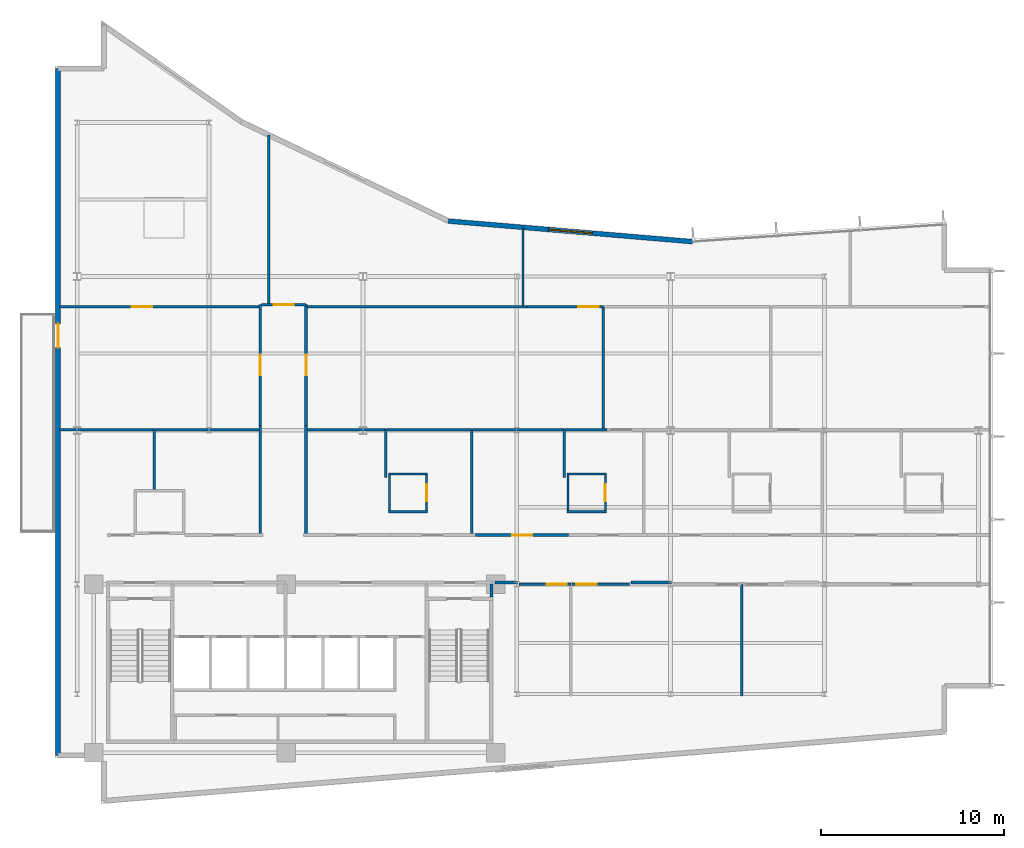
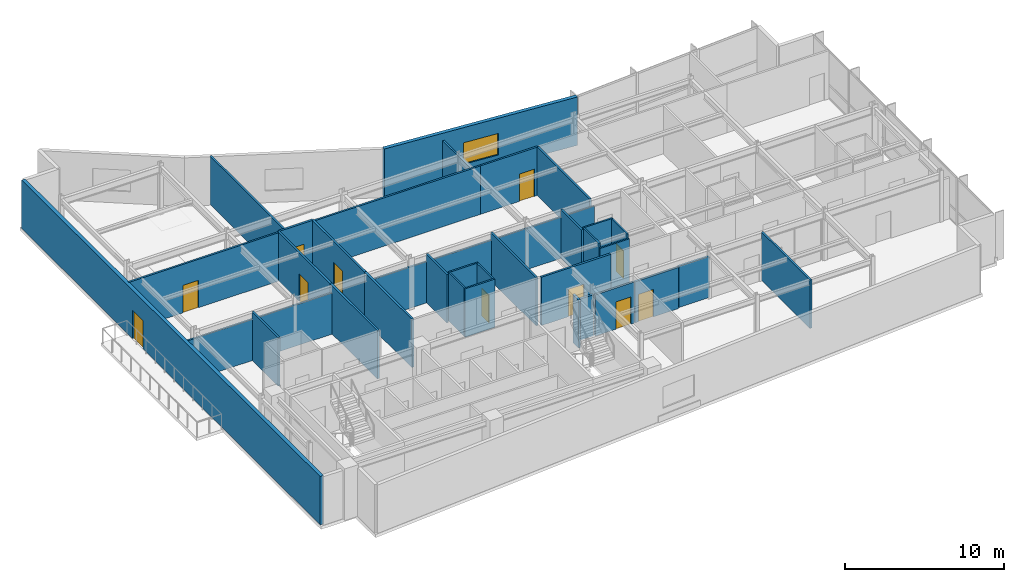
# One storey, part 11 of 16: 38 walls, 11 doors, 1 window, 12 openings.
"""IFC4 building model written with IfcOpenShell, lengths in metres."""

import ifcopenshell
import ifcopenshell.guid

model = None  # the IFC model being written
_history = None  # IfcOwnerHistory: only IFC2X3 demands one
_inside = {}  # id of a spatial element -> (the spatial element, [elements in it])
_under = {}  # id of a project, library or spatial element -> (it, [spatial elements below it])
_declared = {}  # id of a project -> (the project, [libraries it declares])
_typed = {}  # id of a type object -> (the type object, [elements of that type])
_made_of = {}  # id of a material, layer set ... -> (it, [elements and type objects made of it])


def new_model(schema):
    """Start an empty IFC model of exactly this schema.

    Asked for "IFC4X3", IfcOpenShell would pick the latest addendum, in which some entities
    have other attributes; the version numbers below select the first issue.
    IFC2X3 requires an IfcOwnerHistory on every rooted entity: one is made here for all.
    """
    global model, _history
    if schema == "IFC4X3":
        model = ifcopenshell.file(schema_version=(4, 3, 0, 0))
    else:
        model = ifcopenshell.file(schema=schema)
    _inside.clear()
    _under.clear()
    _declared.clear()
    _typed.clear()
    _made_of.clear()
    _history = None
    if model.schema == "IFC2X3":
        org = make("IfcOrganization", Name="unknown")
        user = make(
            "IfcPersonAndOrganization",
            ThePerson=make("IfcPerson", FamilyName="unknown"),
            TheOrganization=org,
        )
        app = make(
            "IfcApplication",
            ApplicationDeveloper=org,
            Version="unknown",
            ApplicationFullName="unknown",
            ApplicationIdentifier="unknown",
        )
        _history = make(
            "IfcOwnerHistory",
            OwningUser=user,
            OwningApplication=app,
            ChangeAction="ADDED",
            CreationDate=0,
        )
    return model


def make(cls, **values):
    """One entity of the class cls with the attributes given. An attribute that is None is left unset."""
    return model.create_entity(
        cls, **{name: value for name, value in values.items() if value is not None}
    )


def rooted(cls, **values):
    """An entity with a GlobalId (a new one), such as an element, a storey or a relation."""
    return make(cls, GlobalId=ifcopenshell.guid.new(), OwnerHistory=_history, **values)


def si_unit(unit_type, name, prefix=None):
    """IfcSIUnit, for example si_unit("LENGTHUNIT", "METRE", prefix="MILLI")."""
    return make("IfcSIUnit", UnitType=unit_type, Prefix=prefix, Name=name)


def assignment(units):
    """IfcUnitAssignment: the units of a project."""
    return None if units is None else make("IfcUnitAssignment", Units=units)


def point(xyz):
    """IfcCartesianPoint."""
    return None if xyz is None else make("IfcCartesianPoint", Coordinates=xyz)


def direction(xyz):
    """IfcDirection."""
    return None if xyz is None else make("IfcDirection", DirectionRatios=xyz)


def frame(location, z_axis=None, x_axis=None):
    """IfcAxis2Placement3D, a coordinate frame: its origin and axes. An axis left out is left unset."""
    return make(
        "IfcAxis2Placement3D",
        Location=point(location),
        Axis=direction(z_axis),
        RefDirection=direction(x_axis),
    )


def frame_2d(location, x_axis=None):
    """IfcAxis2Placement2D, a coordinate frame in the plane: its origin and x axis."""
    return make(
        "IfcAxis2Placement2D", Location=point(location), RefDirection=direction(x_axis)
    )


def origin():
    """The frame at (0, 0, 0) with its axes left unset."""
    return frame((0.0, 0.0, 0.0))


def place(relative_to, where):
    """IfcLocalPlacement: puts the frame where relative to a parent placement (None: the world)."""
    return make(
        "IfcLocalPlacement", PlacementRelTo=relative_to, RelativePlacement=where
    )


def context(
    kind, dimensions, precision=None, world=None, true_north=None, identifier=None
):
    """IfcGeometricRepresentationContext, for example the 3D "Model" context."""
    return make(
        "IfcGeometricRepresentationContext",
        ContextIdentifier=identifier,
        ContextType=kind,
        CoordinateSpaceDimension=dimensions,
        Precision=precision,
        WorldCoordinateSystem=world,
        TrueNorth=true_north,
    )


def subcontext(parent, identifier, kind, view, scale=None):
    """IfcGeometricRepresentationSubContext, for example "Body" below "Model"."""
    return make(
        "IfcGeometricRepresentationSubContext",
        ContextIdentifier=identifier,
        ContextType=kind,
        ParentContext=parent,
        TargetScale=scale,
        TargetView=view,
    )


def project(units=None, contexts=None):
    """IfcProject with its units and contexts."""
    return rooted(
        "IfcProject",
        Name="project",
        RepresentationContexts=contexts,
        UnitsInContext=assignment(units),
    )


def spatial(cls, under=None, at=None, **own):
    """A site, building, storey or space (cls), placed at a placement, below another one or the project."""
    s = rooted(cls, ObjectPlacement=at, **own)
    if under is not None:
        _under.setdefault(under.id(), (under, []))[1].append(s)
    return s


def profile(cls, at=None, kind="AREA", **sizes):
    """A parametric profile (cls). Its sizes go by their IFC names, for example OverallWidth=200.0."""
    return make(cls, ProfileType=kind, Position=at, **sizes)


def rectangle(**sizes):
    """IfcRectangleProfileDef."""
    return profile("IfcRectangleProfileDef", **sizes)


def extrude(swept, where, along, depth):
    """IfcExtrudedAreaSolid: the profile swept, set in the frame where, extruded along a direction by depth."""
    return make(
        "IfcExtrudedAreaSolid",
        SweptArea=swept,
        Position=where,
        ExtrudedDirection=direction(along),
        Depth=depth,
    )


def shape(context_of_items, identifier, shape_type, items):
    """IfcShapeRepresentation: the items that make up one representation, for example the "Body"."""
    return make(
        "IfcShapeRepresentation",
        ContextOfItems=context_of_items,
        RepresentationIdentifier=identifier,
        RepresentationType=shape_type,
        Items=items,
    )


def material(Name=None, Category=None):
    """IfcMaterial."""
    return make("IfcMaterial", Name=Name, Category=Category)


def layer(
    of_material, thickness, ventilated=None, Name=None, Category=None, Priority=None
):
    """IfcMaterialLayer: one layer of a wall or slab, of a material (None: an air gap)."""
    return make(
        "IfcMaterialLayer",
        Material=of_material,
        LayerThickness=thickness,
        IsVentilated=ventilated,
        Name=Name,
        Category=Category,
        Priority=Priority,
    )


def layer_set(layers, Name=None):
    """IfcMaterialLayerSet."""
    return make("IfcMaterialLayerSet", MaterialLayers=layers, LayerSetName=Name)


def made_of(thing, what):
    """Note that an element or type object is made of a material, layer set ...; save() writes the relation."""
    if what is not None:
        _made_of.setdefault(what.id(), (what, []))[1].append(thing)
    return thing


def type_object(cls, material=None, **own):
    """A type object (cls), such as IfcWallType, which elements share."""
    return made_of(rooted(cls, **own), material)


def element(
    cls,
    number,
    at=None,
    inside=None,
    cuts=None,
    type_object=None,
    material=None,
    context=None,
    identifier="Body",
    shape_type=None,
    held_by="IfcProductDefinitionShape",
    body=None,
    shapes=None,
    **own,
):
    """One element of the class cls, such as IfcWall. Its Tag is "e" and its number.

    at: its placement. inside: the storey or other place that contains it. cuts: it is an
    opening in that element (IfcRelVoidsElement). A single representation is given by context,
    identifier, shape_type and body (its items); several are given by shapes. held_by: the class
    of the entity that holds the representations. save() writes the other relations.
    """
    e = rooted(cls, Tag="e%d" % number, ObjectPlacement=at, **own)
    if body is not None:
        shapes = [shape(context, identifier, shape_type, body)]
    if shapes is not None:
        e.Representation = make(held_by, Representations=shapes)
    if inside is not None:
        _inside.setdefault(inside.id(), (inside, []))[1].append(e)
    if cuts is not None:
        rooted(
            "IfcRelVoidsElement", RelatingBuildingElement=cuts, RelatedOpeningElement=e
        )
    if type_object is not None:
        _typed.setdefault(type_object.id(), (type_object, []))[1].append(e)
    return made_of(e, material)


def fill(opening, filler):
    """IfcRelFillsElement: the door or window that sits in an opening."""
    return rooted(
        "IfcRelFillsElement",
        RelatingOpeningElement=opening,
        RelatedBuildingElement=filler,
    )


def aggregate(whole, parts):
    """IfcRelAggregates: a whole, such as a stair, and the parts it consists of."""
    return rooted("IfcRelAggregates", RelatingObject=whole, RelatedObjects=parts)


def save(model, path):
    """Write the relations noted so far, then the file.

    IfcRelAggregates (storeys below a building ...), IfcRelContainedInSpatialStructure (elements
    in a storey), IfcRelDefinesByType, IfcRelAssociatesMaterial and IfcRelDeclares: one each for
    every whole, place, type object, material and project.
    """
    for whole, parts in _under.values():
        aggregate(whole, parts)
    for where, things in _inside.values():
        rooted(
            "IfcRelContainedInSpatialStructure",
            RelatedElements=things,
            RelatingStructure=where,
        )
    for kind, things in _typed.values():
        rooted("IfcRelDefinesByType", RelatedObjects=things, RelatingType=kind)
    for what, things in _made_of.values():
        rooted("IfcRelAssociatesMaterial", RelatedObjects=things, RelatingMaterial=what)
    for by, libraries in _declared.values():
        rooted("IfcRelDeclares", RelatingContext=by, RelatedDefinitions=libraries)
    model.write(path)


model = new_model("IFC4")

# Units and contexts
model_context = context("Model", 3, precision=1e-05, world=origin(), true_north=direction((0.0, 1.0)))
body_context = subcontext(model_context, "Body", "Model", "MODEL_VIEW")
ifc_project = project(units=[si_unit("LENGTHUNIT", "METRE"), si_unit("AREAUNIT", "SQUARE_METRE"), si_unit("VOLUMEUNIT", "CUBIC_METRE"), si_unit("PLANEANGLEUNIT", "RADIAN"), si_unit("MASSUNIT", "GRAM", prefix="KILO")], contexts=[model_context])

# Site, building, storey
site_placement = place(None, origin())
site = spatial("IfcSite", under=ifc_project, at=site_placement, CompositionType="ELEMENT")
building_placement = place(site_placement, origin())
building = spatial("IfcBuilding", under=site, at=building_placement, Name="Varnakote Quay Hospital", CompositionType="ELEMENT")
storey_placement = place(building_placement, frame((0.0, 0.0, 188.14990234375)))
storey = spatial("IfcBuildingStorey", under=building, at=storey_placement, Name="L46", CompositionType="ELEMENT", Elevation=188.14990234375)

# Walls
ifc_material_1 = material(Name="Fire-rated acoustic gypsum stud wall", Category="gypsum")
ifc_layer_1 = layer(ifc_material_1, 0.159912109375)
ifc_layer_set_1 = layer_set([ifc_layer_1], Name="Fire-rated acoustic gypsum stud wall")
wall_type_1 = type_object("IfcWallType", Name="WL-COMP-160", PredefinedType="PARTITIONING", material=ifc_layer_set_1)
wall_1_placement = place(storey_placement, frame((23.820068359375, 11.300048828125, 0.0), z_axis=(0.0, 0.0, 1.0), x_axis=(0.0, 1.0, 0.0)))
element("IfcWall", 1, at=wall_1_placement, inside=storey, type_object=wall_type_1, Name="L46 East Stair Vestibule East Wall", PredefinedType="PARTITIONING", context=body_context, shape_type="SweptSolid", body=[
    extrude(rectangle(XDim=0.699951171875, YDim=0.159912109375, at=frame_2d((0.35009765625, 0.0))), origin(), (0.0, 0.0, 1.0), 3.710205078125),
])
wall_2_placement = place(storey_placement, frame((24.02001953125, 12.080078125, 0.0), z_axis=(0.0, 0.0, 1.0), x_axis=(1.0, 0.0, 0.0)))
element("IfcWall", 2, at=wall_2_placement, inside=storey, type_object=wall_type_1, Name="L46 Corridor South Gap Wall", PredefinedType="PARTITIONING", context=body_context, shape_type="SweptSolid", body=[
    extrude(rectangle(XDim=1.21875, YDim=0.159912109375, at=frame_2d((0.609375, 0.0))), origin(), (0.0, 0.0, 1.0), 3.152099609375),
])
wall_3_placement = place(storey_placement, frame((31.439208984375, 12.080078125, 0.0), z_axis=(0.0, 0.0, 1.0), x_axis=(1.0, 0.0, 0.0)))
element("IfcWall", 3, at=wall_3_placement, inside=storey, type_object=wall_type_1, Name="L46 Corridor South Gap Wall", PredefinedType="PARTITIONING", context=body_context, shape_type="SweptSolid", body=[
    extrude(rectangle(XDim=2.199462890625, YDim=0.159912109375, at=frame_2d((1.099609375, 0.0))), origin(), (0.0, 0.0, 1.0), 3.152099609375),
])
ifc_material_2 = material(Name="Moisture-resistant bathroom partition", Category="gypsum")
ifc_layer_2 = layer(ifc_material_2, 0.114990234375)
ifc_layer_set_2 = layer_set([ifc_layer_2], Name="Moisture-resistant bathroom partition")
wall_type_2 = type_object("IfcWallType", Name="WL-ENS-115", PredefinedType="PARTITIONING", material=ifc_layer_set_2)
for number, where, z_axis, x_axis, name in (
    (4, (18.18505859375, 15.952392578125, 0.0), (0.0, 0.0, 1.0), (1.0, 0.0, 0.0), "L46 Inpatient En-Suite Bathroom 01 S Wall"),
    (5, (18.18505859375, 18.017578125, 0.0), (0.0, 0.0, 1.0), (1.0, 0.0, 0.0), "L46 Inpatient En-Suite Bathroom 01 N Wall"),
):
    element("IfcWall", number, at=place(storey_placement, frame(where, z_axis=z_axis, x_axis=x_axis)), inside=storey, type_object=wall_type_2, Name=name, PredefinedType="PARTITIONING", context=body_context, shape_type="SweptSolid", body=[
        extrude(rectangle(XDim=2.14990234375, YDim=0.114990234375, at=frame_2d((1.074951171875, 0.0))), origin(), (0.0, 0.0, 1.0), 3.710205078125),
    ])
wall_4_placement = place(storey_placement, frame((18.242431640625, 16.010009765625, 0.0), z_axis=(0.0, 0.0, 1.0), x_axis=(0.0, 1.0, 0.0)))
element("IfcWall", 6, at=wall_4_placement, inside=storey, type_object=wall_type_2, Name="L46 Inpatient En-Suite Bathroom 01 W Wall", PredefinedType="PARTITIONING", context=body_context, shape_type="SweptSolid", body=[
    extrude(rectangle(XDim=1.949951171875, YDim=0.114990234375, at=frame_2d((0.97509765625, 0.0))), origin(), (0.0, 0.0, 1.0), 3.710205078125),
])

# Wall, opening, door
wall_5_placement = place(storey_placement, frame((20.277587890625, 16.010009765625, 0.0), z_axis=(0.0, 0.0, 1.0), x_axis=(0.0, 1.0, 0.0)))
wall_5 = element("IfcWall", 7, at=wall_5_placement, inside=storey, type_object=wall_type_2, Name="L46 Inpatient En-Suite Bathroom 01 E Wall", PredefinedType="PARTITIONING", context=body_context, shape_type="SweptSolid", body=[
    extrude(rectangle(XDim=1.949951171875, YDim=0.114990234375, at=frame_2d((0.97509765625, 0.0))), origin(), (0.0, 0.0, 1.0), 3.710205078125),
])
opening_1_placement = place(wall_5_placement, frame((0.514892578125, 0.0, 0.0)))
opening_1 = element("IfcOpeningElement", 8, at=opening_1_placement, cuts=wall_5, Name="Opening D-L46-ENS01", PredefinedType="OPENING", context=body_context, shape_type="SweptSolid", body=[
    extrude(rectangle(XDim=0.919921875, YDim=2.10009765625, at=frame_2d((0.4599609375, 1.050048828125))), frame((0.0, 0.0673828125, 0.0), z_axis=(0.0, -1.0, 0.0), x_axis=(1.0, 0.0, 0.0)), (0.0, 0.0, 1.0), 0.135009765625),
])
ifc_material_3 = material(Name="Moisture-sealed en-suite bathroom door")
door_type_1 = type_object("IfcDoorType", Name="DR-ENS-920x2100", OperationType="NOTDEFINED", PredefinedType="DOOR", material=ifc_material_3)
door_1_placement = place(opening_1_placement, origin())
door_1 = element("IfcDoor", 9, at=door_1_placement, inside=storey, type_object=door_type_1, Name="L46 Inpatient En-Suite Bathroom 01 Door", OperationType="SINGLE_SWING_LEFT", OverallHeight=2.10009765625, OverallWidth=0.919921875, PredefinedType="DOOR", context=body_context, shape_type="SweptSolid", body=[
    extrude(rectangle(XDim=0.919921875, YDim=2.10009765625, at=frame_2d((0.4599609375, 1.050048828125))), frame((0.0, 0.02490234375, 0.0), z_axis=(0.0, -1.0, 0.0), x_axis=(1.0, 0.0, 0.0)), (0.0, 0.0, 1.0), 0.050048828125),
])
fill(opening_1, door_1)

# Walls
wall_6_placement = place(storey_placement, frame((27.945068359375, 15.952392578125, 0.0), z_axis=(0.0, 0.0, 1.0), x_axis=(1.0, 0.0, 0.0)))
element("IfcWall", 10, at=wall_6_placement, inside=storey, type_object=wall_type_2, Name="L46 Inpatient En-Suite Bathroom 02 S Wall", PredefinedType="PARTITIONING", context=body_context, shape_type="SweptSolid", body=[
    extrude(rectangle(XDim=2.14990234375, YDim=0.114990234375, at=frame_2d((1.074951171875, 0.0))), origin(), (0.0, 0.0, 1.0), 3.378173828125),
])
wall_7_placement = place(storey_placement, frame((27.945068359375, 18.017578125, 0.0), z_axis=(0.0, 0.0, 1.0), x_axis=(1.0, 0.0, 0.0)))
element("IfcWall", 11, at=wall_7_placement, inside=storey, type_object=wall_type_2, Name="L46 Inpatient En-Suite Bathroom 02 N Wall", PredefinedType="PARTITIONING", context=body_context, shape_type="SweptSolid", body=[
    extrude(rectangle(XDim=2.14990234375, YDim=0.114990234375, at=frame_2d((1.074951171875, 0.0))), origin(), (0.0, 0.0, 1.0), 3.710205078125),
])
wall_8_placement = place(storey_placement, frame((28.00244140625, 16.010009765625, 0.0), z_axis=(0.0, 0.0, 1.0), x_axis=(0.0, 1.0, 0.0)))
element("IfcWall", 12, at=wall_8_placement, inside=storey, type_object=wall_type_2, Name="L46 Inpatient En-Suite Bathroom 02 W Wall", PredefinedType="PARTITIONING", context=body_context, shape_type="SweptSolid", body=[
    extrude(rectangle(XDim=1.949951171875, YDim=0.114990234375, at=frame_2d((0.97509765625, 0.0))), origin(), (0.0, 0.0, 1.0), 3.710205078125),
])

# Wall, opening, door
wall_9_placement = place(storey_placement, frame((30.03759765625, 16.010009765625, 0.0), z_axis=(0.0, 0.0, 1.0), x_axis=(0.0, 1.0, 0.0)))
wall_9 = element("IfcWall", 13, at=wall_9_placement, inside=storey, type_object=wall_type_2, Name="L46 Inpatient En-Suite Bathroom 02 E Wall", PredefinedType="PARTITIONING", context=body_context, shape_type="SweptSolid", body=[
    extrude(rectangle(XDim=1.949951171875, YDim=0.114990234375, at=frame_2d((0.97509765625, 0.0))), origin(), (0.0, 0.0, 1.0), 3.710205078125),
])
opening_2_placement = place(wall_9_placement, frame((0.514892578125, 0.0, 0.0)))
opening_2 = element("IfcOpeningElement", 14, at=opening_2_placement, cuts=wall_9, Name="Opening D-L46-ENS02", PredefinedType="OPENING", context=body_context, shape_type="SweptSolid", body=[
    extrude(rectangle(XDim=0.919921875, YDim=2.10009765625, at=frame_2d((0.4599609375, 1.050048828125))), frame((0.0, 0.0673828125, 0.0), z_axis=(0.0, -1.0, 0.0), x_axis=(1.0, 0.0, 0.0)), (0.0, 0.0, 1.0), 0.135009765625),
])
door_2_placement = place(opening_2_placement, origin())
door_2 = element("IfcDoor", 15, at=door_2_placement, inside=storey, type_object=door_type_1, Name="L46 Inpatient En-Suite Bathroom 02 Door", OperationType="SINGLE_SWING_RIGHT", OverallHeight=2.10009765625, OverallWidth=0.919921875, PredefinedType="DOOR", context=body_context, shape_type="SweptSolid", body=[
    extrude(rectangle(XDim=0.919921875, YDim=2.10009765625, at=frame_2d((0.4599609375, 1.050048828125))), frame((0.0, 0.02490234375, 0.0), z_axis=(0.0, -1.0, 0.0), x_axis=(1.0, 0.0, 0.0)), (0.0, 0.0, 1.0), 0.050048828125),
])
fill(opening_2, door_2)

# Wall, opening, window
ifc_material_4 = material(Name="Precast concrete N50 (f'c 50 MPa)", Category="concrete")
ifc_layer_3 = layer(ifc_material_4, 0.260009765625)
ifc_layer_set_3 = layer_set([ifc_layer_3], Name="Precast concrete N50 (f'c 50 MPa)")
wall_type_3 = type_object("IfcWallType", Name="WL-EXT-BRICK-260", PredefinedType="STANDARD", material=ifc_layer_set_3)
wall_10_placement = place(storey_placement, frame((34.814697265625, 30.695556640625, 0.0), z_axis=(0.0, 0.0, 1.0), x_axis=(-0.996454704935, 0.084130975344, 0.0)))
wall_10 = element("IfcWall", 16, at=wall_10_placement, inside=storey, type_object=wall_type_3, Name="L46 Brick-Faced Precast Exterior Wall", PredefinedType="STANDARD", context=body_context, shape_type="SweptSolid", body=[
    extrude(rectangle(XDim=13.401123046875, YDim=0.260009765625, at=frame_2d((6.70068359375, 0.0))), origin(), (0.0, 0.0, 1.0), 3.710205078125),
])
opening_3_placement = place(wall_10_placement, frame((5.50048828125, 0.0, 0.89990234375)))
opening_3 = element("IfcOpeningElement", 17, at=opening_3_placement, cuts=wall_10, Name="Opening WN-0191", PredefinedType="OPENING", context=body_context, shape_type="SweptSolid", body=[
    extrude(rectangle(XDim=2.39990234375, YDim=1.64990234375, at=frame_2d((1.199951171875, 0.824951171875))), frame((0.0, 0.139892578125, 0.0), z_axis=(0.0, -1.0, 0.0), x_axis=(1.0, 0.0, 0.0)), (0.0, 0.0, 1.0), 0.280029296875),
])
ifc_material_5 = material(Name="Double-glazed low-E solar glass", Category="glass")
window_type = type_object("IfcWindowType", Name="WIN-CLIN-2400x1650", PartitioningType="SINGLE_PANEL", PredefinedType="WINDOW", material=ifc_material_5)
window_placement = place(opening_3_placement, origin())
window = element("IfcWindow", 18, at=window_placement, inside=storey, type_object=window_type, Name="L46 Solar-Control Clinical Window", OverallHeight=1.64990234375, OverallWidth=2.39990234375, PartitioningType="SINGLE_PANEL", PredefinedType="WINDOW", context=body_context, shape_type="SweptSolid", body=[
    extrude(rectangle(XDim=2.39990234375, YDim=1.64990234375, at=frame_2d((1.199951171875, 0.824951171875))), frame((0.0, 0.030029296875, 0.0), z_axis=(0.0, -1.0, 0.0), x_axis=(1.0, 0.0, 0.0)), (0.0, 0.0, 1.0), 0.06005859375),
])
fill(opening_3, window)

# Wall, opening, door
wall_11_placement = place(storey_placement, frame((0.159912109375, 40.139892578125, 0.0), z_axis=(0.0, 0.0, 1.0), x_axis=(0.0, -1.0, 0.0)))
wall_11 = element("IfcWall", 19, at=wall_11_placement, inside=storey, type_object=wall_type_3, Name="L46 Healing Terrace Portal Brick Wall", PredefinedType="STANDARD", context=body_context, shape_type="SweptSolid", body=[
    extrude(rectangle(XDim=37.47998046875, YDim=0.260009765625, at=frame_2d((18.739990234375, 0.0))), origin(), (0.0, 0.0, 1.0), 3.710205078125),
])
opening_4_placement = place(wall_11_placement, frame((13.925537109375, 0.0, 0.0)))
opening_4 = element("IfcOpeningElement", 20, at=opening_4_placement, cuts=wall_11, Name="Opening DT-L46", PredefinedType="OPENING", context=body_context, shape_type="SweptSolid", body=[
    extrude(rectangle(XDim=1.300048828125, YDim=2.14990234375, at=frame_2d((0.64990234375, 1.074951171875))), frame((0.0, 0.139892578125, 0.0), z_axis=(0.0, -1.0, 0.0), x_axis=(1.0, 0.0, 0.0)), (0.0, 0.0, 1.0), 0.280029296875),
])
ifc_material_6 = material(Name="Anodised aluminium glazed terrace door", Category="aluminium")
door_type_2 = type_object("IfcDoorType", Name="DR-EXT-TERR-1300x2150", OperationType="NOTDEFINED", PredefinedType="DOOR", material=ifc_material_6)
door_3_placement = place(opening_4_placement, origin())
door_3 = element("IfcDoor", 21, at=door_3_placement, inside=storey, type_object=door_type_2, Name="L46 Waterfront Healing Terrace Door", OperationType="SINGLE_SWING_LEFT", OverallHeight=2.14990234375, OverallWidth=1.300048828125, PredefinedType="DOOR", context=body_context, shape_type="SweptSolid", body=[
    extrude(rectangle(XDim=1.300048828125, YDim=2.14990234375, at=frame_2d((0.64990234375, 1.074951171875))), frame((0.0, 0.02490234375, 0.0), z_axis=(0.0, -1.0, 0.0), x_axis=(1.0, 0.0, 0.0)), (0.0, 0.0, 1.0), 0.050048828125),
])
fill(opening_4, door_3)

# Walls
ifc_material_7 = material(Name="Smoke-proof clinical partition", Category="gypsum")
ifc_layer_4 = layer(ifc_material_7, 0.135009765625)
ifc_layer_set_4 = layer_set([ifc_layer_4], Name="Smoke-proof clinical partition")
wall_type_4 = type_object("IfcWallType", Name="WL-SMOKE-135", PredefinedType="PARTITIONING", material=ifc_layer_set_4)
wall_12_placement = place(storey_placement, frame((37.47998046875, 5.89990234375, 0.0), z_axis=(0.0, 0.0, 1.0), x_axis=(0.0, 1.0, 0.0)))
element("IfcWall", 22, at=wall_12_placement, inside=storey, type_object=wall_type_4, Name="L46 Clinical Interior Partition", PredefinedType="PARTITIONING", context=body_context, shape_type="SweptSolid", body=[
    extrude(rectangle(XDim=6.10009765625, YDim=0.135009765625, at=frame_2d((3.050048828125, 0.0))), origin(), (0.0, 0.0, 1.0), 3.710205078125),
])
wall_13_placement = place(storey_placement, frame((5.409912109375, 17.139892578125, 0.0), z_axis=(0.0, 0.0, 1.0), x_axis=(0.0, 1.0, 0.0)))
element("IfcWall", 23, at=wall_13_placement, inside=storey, type_object=wall_type_4, Name="L46 Clinical Interior Partition", PredefinedType="PARTITIONING", context=body_context, shape_type="SweptSolid", body=[
    extrude(rectangle(XDim=3.300048828125, YDim=0.135009765625, at=frame_2d((1.64990234375, 0.0))), origin(), (0.0, 0.0, 1.0), 3.710205078125),
])
wall_14_placement = place(storey_placement, frame((5.409912109375, 20.43994140625, 0.0), z_axis=(0.0, 0.0, 1.0), x_axis=(-1.0, 0.0, 0.0)))
element("IfcWall", 24, at=wall_14_placement, inside=storey, type_object=wall_type_4, Name="L46 Clinical Interior Partition", PredefinedType="PARTITIONING", context=body_context, shape_type="SweptSolid", body=[
    extrude(rectangle(XDim=5.169921875, YDim=0.135009765625, at=frame_2d((2.5849609375, 0.0))), origin(), (0.0, 0.0, 1.0), 3.152099609375),
])
wall_15_placement = place(storey_placement, frame((11.1201171875, 20.43994140625, 0.0), z_axis=(0.0, 0.0, 1.0), x_axis=(-1.0, 0.0, 0.0)))
element("IfcWall", 25, at=wall_15_placement, inside=storey, type_object=wall_type_4, Name="L46 Clinical Interior Partition", PredefinedType="PARTITIONING", context=body_context, shape_type="SweptSolid", body=[
    extrude(rectangle(XDim=5.652587890625, YDim=0.135009765625, at=frame_2d((2.826171875, 0.0))), origin(), (0.0, 0.0, 1.0), 3.152099609375),
])
wall_16_placement = place(storey_placement, frame((18.0400390625, 17.83251953125, 0.0), z_axis=(0.0, 0.0, 1.0), x_axis=(0.0, 1.0, 0.0)))
element("IfcWall", 26, at=wall_16_placement, inside=storey, type_object=wall_type_4, Name="L46 Clinical Interior Partition", PredefinedType="PARTITIONING", context=body_context, shape_type="SweptSolid", body=[
    extrude(rectangle(XDim=2.607421875, YDim=0.135009765625, at=frame_2d((1.3037109375, 0.0))), origin(), (0.0, 0.0, 1.0), 3.710205078125),
])
wall_17_placement = place(storey_placement, frame((18.0400390625, 20.43994140625, 0.0), z_axis=(0.0, 0.0, 1.0), x_axis=(-1.0, 0.0, 0.0)))
element("IfcWall", 27, at=wall_17_placement, inside=storey, type_object=wall_type_4, Name="L46 Clinical Interior Partition", PredefinedType="PARTITIONING", context=body_context, shape_type="SweptSolid", body=[
    extrude(rectangle(XDim=4.260009765625, YDim=0.135009765625, at=frame_2d((2.1298828125, 0.0))), origin(), (0.0, 0.0, 1.0), 3.152099609375),
])
wall_18_placement = place(storey_placement, frame((22.72998046875, 14.760009765625, 0.0), z_axis=(0.0, 0.0, 1.0), x_axis=(0.0, 1.0, 0.0)))
element("IfcWall", 28, at=wall_18_placement, inside=storey, type_object=wall_type_4, Name="L46 Clinical Interior Partition", PredefinedType="PARTITIONING", context=body_context, shape_type="SweptSolid", body=[
    extrude(rectangle(XDim=5.679931640625, YDim=0.135009765625, at=frame_2d((2.83984375, 0.0))), origin(), (0.0, 0.0, 1.0), 3.710205078125),
])
wall_19_placement = place(storey_placement, frame((22.72998046875, 20.43994140625, 0.0), z_axis=(0.0, 0.0, 1.0), x_axis=(-1.0, 0.0, 0.0)))
element("IfcWall", 29, at=wall_19_placement, inside=storey, type_object=wall_type_4, Name="L46 Clinical Interior Partition", PredefinedType="PARTITIONING", context=body_context, shape_type="SweptSolid", body=[
    extrude(rectangle(XDim=4.632568359375, YDim=0.135009765625, at=frame_2d((2.31640625, 0.0))), origin(), (0.0, 0.0, 1.0), 3.152099609375),
])
wall_20_placement = place(storey_placement, frame((27.800048828125, 17.83251953125, 0.0), z_axis=(0.0, 0.0, 1.0), x_axis=(0.0, 1.0, 0.0)))
element("IfcWall", 30, at=wall_20_placement, inside=storey, type_object=wall_type_4, Name="L46 Clinical Interior Partition", PredefinedType="PARTITIONING", context=body_context, shape_type="SweptSolid", body=[
    extrude(rectangle(XDim=2.607421875, YDim=0.135009765625, at=frame_2d((1.3037109375, 0.0))), origin(), (0.0, 0.0, 1.0), 3.710205078125),
])
wall_21_placement = place(storey_placement, frame((27.800048828125, 20.43994140625, 0.0), z_axis=(0.0, 0.0, 1.0), x_axis=(-1.0, 0.0, 0.0)))
element("IfcWall", 31, at=wall_21_placement, inside=storey, type_object=wall_type_4, Name="L46 Clinical Interior Partition", PredefinedType="PARTITIONING", context=body_context, shape_type="SweptSolid", body=[
    extrude(rectangle(XDim=5.012451171875, YDim=0.135009765625, at=frame_2d((2.50634765625, 0.0))), origin(), (0.0, 0.0, 1.0), 3.152099609375),
])
wall_22_placement = place(storey_placement, frame((30.137451171875, 20.43994140625, 0.0), z_axis=(0.0, 0.0, 1.0), x_axis=(-1.0, 0.0, 0.0)))
element("IfcWall", 32, at=wall_22_placement, inside=storey, type_object=wall_type_4, Name="L46 Clinical Interior Partition", PredefinedType="PARTITIONING", context=body_context, shape_type="SweptSolid", body=[
    extrude(rectangle(XDim=2.280029296875, YDim=0.135009765625, at=frame_2d((1.14013671875, 0.0))), origin(), (0.0, 0.0, 1.0), 3.152099609375),
])

# Wall, opening, door
wall_23_placement = place(storey_placement, frame((11.1201171875, 27.139892578125, 0.0), z_axis=(0.0, 0.0, 1.0), x_axis=(-1.0, 0.0, 0.0)))
wall_23 = element("IfcWall", 33, at=wall_23_placement, inside=storey, type_object=wall_type_4, Name="L46 Clinical Interior Partition", PredefinedType="PARTITIONING", context=body_context, shape_type="SweptSolid", body=[
    extrude(rectangle(XDim=10.880126953125, YDim=0.135009765625, at=frame_2d((5.43994140625, 0.0))), origin(), (0.0, 0.0, 1.0), 3.710205078125),
])
opening_5_placement = place(wall_23_placement, frame((5.827880859375, 0.0, 0.0)))
opening_5 = element("IfcOpeningElement", 34, at=opening_5_placement, cuts=wall_23, Name="Opening D-L46-MD10", PredefinedType="OPENING", context=body_context, shape_type="SweptSolid", body=[
    extrude(rectangle(XDim=1.10009765625, YDim=2.10009765625, at=frame_2d((0.550048828125, 1.050048828125))), frame((0.0, 0.077392578125, 0.0), z_axis=(0.0, -1.0, 0.0), x_axis=(1.0, 0.0, 0.0)), (0.0, 0.0, 1.0), 0.155029296875),
])
ifc_material_8 = material(Name="Acoustic timber clinical consult door", Category="wood")
door_type_3 = type_object("IfcDoorType", Name="DR-CLIN-FD30S-1100x2100", OperationType="NOTDEFINED", PredefinedType="DOOR", material=ifc_material_8)
door_4_placement = place(opening_5_placement, origin())
door_4 = element("IfcDoor", 35, at=door_4_placement, inside=storey, type_object=door_type_3, Name="L46 Stroke Rehabilitation Treatment Suite Door", OperationType="SINGLE_SWING_LEFT", OverallHeight=2.10009765625, OverallWidth=1.10009765625, PredefinedType="DOOR", context=body_context, shape_type="SweptSolid", body=[
    extrude(rectangle(XDim=1.10009765625, YDim=2.10009765625, at=frame_2d((0.550048828125, 1.050048828125))), frame((0.0, 0.02490234375, 0.0), z_axis=(0.0, -1.0, 0.0), x_axis=(1.0, 0.0, 0.0)), (0.0, 0.0, 1.0), 0.050048828125),
])
fill(opening_5, door_4)

# Walls
wall_24_placement = place(storey_placement, frame((29.929931640625, 20.49755859375, 0.0), z_axis=(0.0, 0.0, 1.0), x_axis=(0.0, 1.0, 0.0)))
element("IfcWall", 36, at=wall_24_placement, inside=storey, type_object=wall_type_4, Name="L46 Clinical Interior Partition", PredefinedType="PARTITIONING", context=body_context, shape_type="SweptSolid", body=[
    extrude(rectangle(XDim=6.642333984375, YDim=0.135009765625, at=frame_2d((3.3212890625, 0.0))), origin(), (0.0, 0.0, 1.0), 3.710205078125),
])
wall_25_placement = place(storey_placement, frame((25.74755859375, 27.139892578125, 0.0), z_axis=(0.0, 0.0, 1.0), x_axis=(-1.0, 0.0, 0.0)))
element("IfcWall", 37, at=wall_25_placement, inside=storey, type_object=wall_type_4, Name="L46 Clinical Interior Partition", PredefinedType="PARTITIONING", context=body_context, shape_type="SweptSolid", body=[
    extrude(rectangle(XDim=11.967529296875, YDim=0.135009765625, at=frame_2d((5.98388671875, 0.0))), origin(), (0.0, 0.0, 1.0), 3.710205078125),
])

# Wall, opening, door
wall_26_placement = place(storey_placement, frame((29.929931640625, 27.139892578125, 0.0), z_axis=(0.0, 0.0, 1.0), x_axis=(-1.0, 0.0, 0.0)))
wall_26 = element("IfcWall", 38, at=wall_26_placement, inside=storey, type_object=wall_type_4, Name="L46 Clinical Interior Partition", PredefinedType="PARTITIONING", context=body_context, shape_type="SweptSolid", body=[
    extrude(rectangle(XDim=4.180419921875, YDim=0.135009765625, at=frame_2d((2.09033203125, 0.0))), origin(), (0.0, 0.0, 1.0), 3.710205078125),
])
opening_6_placement = place(wall_26_placement, frame((0.26708984375, 0.0, 0.0)))
opening_6 = element("IfcOpeningElement", 39, at=opening_6_placement, cuts=wall_26, Name="Opening D-L46-MD12", PredefinedType="OPENING", context=body_context, shape_type="SweptSolid", body=[
    extrude(rectangle(XDim=1.10009765625, YDim=2.10009765625, at=frame_2d((0.550048828125, 1.050048828125))), frame((0.0, 0.077392578125, 0.0), z_axis=(0.0, -1.0, 0.0), x_axis=(1.0, 0.0, 0.0)), (0.0, 0.0, 1.0), 0.155029296875),
])
door_5_placement = place(opening_6_placement, origin())
door_5 = element("IfcDoor", 40, at=door_5_placement, inside=storey, type_object=door_type_3, Name="L46 Neuro-Rehab Clinical Consultation Suite Door", OperationType="SINGLE_SWING_RIGHT", OverallHeight=2.10009765625, OverallWidth=1.10009765625, PredefinedType="DOOR", context=body_context, shape_type="SweptSolid", body=[
    extrude(rectangle(XDim=1.10009765625, YDim=2.10009765625, at=frame_2d((0.550048828125, 1.050048828125))), frame((0.0, 0.02490234375, 0.0), z_axis=(0.0, -1.0, 0.0), x_axis=(1.0, 0.0, 0.0)), (0.0, 0.0, 1.0), 0.050048828125),
])
fill(opening_6, door_5)

# Walls
wall_27_placement = place(storey_placement, frame((11.64990234375, 27.320068359375, 0.0), z_axis=(0.0, 0.0, 1.0), x_axis=(0.0, 1.0, 0.0)))
element("IfcWall", 41, at=wall_27_placement, inside=storey, type_object=wall_type_4, Name="L46 Clinical Interior Partition", PredefinedType="PARTITIONING", context=body_context, shape_type="SweptSolid", body=[
    extrude(rectangle(XDim=9.203125, YDim=0.135009765625, at=frame_2d((4.6015625, 0.0))), origin(), (0.0, 0.0, 1.0), 3.710205078125),
])
wall_28_placement = place(storey_placement, frame((25.5400390625, 27.197509765625, 0.0), z_axis=(0.0, 0.0, 1.0), x_axis=(0.0, 1.0, 0.0)))
element("IfcWall", 42, at=wall_28_placement, inside=storey, type_object=wall_type_4, Name="L46 Clinical Interior Partition", PredefinedType="PARTITIONING", context=body_context, shape_type="SweptSolid", body=[
    extrude(rectangle(XDim=4.28125, YDim=0.135009765625, at=frame_2d((2.140625, 0.0))), origin(), (0.0, 0.0, 1.0), 3.152099609375),
])

# Wall, opening, door
ifc_material_9 = material(Name="Fire-rated clinical gypsum partition", Category="gypsum")
ifc_layer_5 = layer(ifc_material_9, 0.14990234375)
ifc_layer_set_5 = layer_set([ifc_layer_5], Name="Fire-rated clinical gypsum partition")
wall_type_5 = type_object("IfcWallType", Name="WL-WARD-150", PredefinedType="PARTITIONING", material=ifc_layer_set_5)
wall_29_placement = place(storey_placement, frame((28.159912109375, 12.0, 0.0), z_axis=(0.0, 0.0, 1.0), x_axis=(-1.0, 0.0, 0.0)))
wall_29 = element("IfcWall", 43, at=wall_29_placement, inside=storey, type_object=wall_type_5, Name="L46 Clinical Interior Partition", PredefinedType="PARTITIONING", context=body_context, shape_type="SweptSolid", body=[
    extrude(rectangle(XDim=2.83203125, YDim=0.14990234375, at=frame_2d((1.416015625, 0.0))), origin(), (0.0, 0.0, 1.0), 3.152099609375),
])
opening_7_placement = place(wall_29_placement, frame((0.2333984375, 0.0, 0.0)))
opening_7 = element("IfcOpeningElement", 44, at=opening_7_placement, cuts=wall_29, Name="Opening D-L46-RL1", PredefinedType="OPENING", context=body_context, shape_type="SweptSolid", body=[
    extrude(rectangle(XDim=1.10009765625, YDim=2.10009765625, at=frame_2d((0.550048828125, 1.050048828125))), frame((0.0, 0.0849609375, 0.0), z_axis=(0.0, -1.0, 0.0), x_axis=(1.0, 0.0, 0.0)), (0.0, 0.0, 1.0), 0.169921875),
])
door_6_placement = place(opening_7_placement, origin())
door_6 = element("IfcDoor", 45, at=door_6_placement, inside=storey, type_object=door_type_3, Name="L46 Day Infusion Treatment Suite Door", OperationType="SINGLE_SWING_LEFT", OverallHeight=2.10009765625, OverallWidth=1.10009765625, PredefinedType="DOOR", context=body_context, shape_type="SweptSolid", body=[
    extrude(rectangle(XDim=1.10009765625, YDim=2.10009765625, at=frame_2d((0.550048828125, 1.050048828125))), frame((0.0, 0.02490234375, 0.0), z_axis=(0.0, -1.0, 0.0), x_axis=(1.0, 0.0, 0.0)), (0.0, 0.0, 1.0), 0.050048828125),
])
fill(opening_7, door_6)

wall_30_placement = place(storey_placement, frame((31.35009765625, 12.0, 0.0), z_axis=(0.0, 0.0, 1.0), x_axis=(-1.0, 0.0, 0.0)))
wall_30 = element("IfcWall", 46, at=wall_30_placement, inside=storey, type_object=wall_type_5, Name="L46 Clinical Interior Partition", PredefinedType="PARTITIONING", context=body_context, shape_type="SweptSolid", body=[
    extrude(rectangle(XDim=3.132568359375, YDim=0.14990234375, at=frame_2d((1.56640625, 0.0))), origin(), (0.0, 0.0, 1.0), 3.152099609375),
])
opening_8_placement = place(wall_30_placement, frame((1.791748046875, 0.0, 0.0)))
opening_8 = element("IfcOpeningElement", 47, at=opening_8_placement, cuts=wall_30, Name="Opening D-L46-RL2", PredefinedType="OPENING", context=body_context, shape_type="SweptSolid", body=[
    extrude(rectangle(XDim=1.10009765625, YDim=2.10009765625, at=frame_2d((0.550048828125, 1.050048828125))), frame((0.0, 0.0849609375, 0.0), z_axis=(0.0, -1.0, 0.0), x_axis=(1.0, 0.0, 0.0)), (0.0, 0.0, 1.0), 0.169921875),
])
door_7_placement = place(opening_8_placement, origin())
door_7 = element("IfcDoor", 48, at=door_7_placement, inside=storey, type_object=door_type_3, Name="L46 Telemedicine Consult Office Door", OperationType="SINGLE_SWING_RIGHT", OverallHeight=2.10009765625, OverallWidth=1.10009765625, PredefinedType="DOOR", context=body_context, shape_type="SweptSolid", body=[
    extrude(rectangle(XDim=1.10009765625, YDim=2.10009765625, at=frame_2d((0.550048828125, 1.050048828125))), frame((0.0, 0.02490234375, 0.0), z_axis=(0.0, -1.0, 0.0), x_axis=(1.0, 0.0, 0.0)), (0.0, 0.0, 1.0), 0.050048828125),
])
fill(opening_8, door_7)

wall_31_placement = place(storey_placement, frame((28.02587890625, 14.679931640625, 0.0), z_axis=(0.0, 0.0, 1.0), x_axis=(-1.0, 0.0, 0.0)))
wall_31 = element("IfcWall", 49, at=wall_31_placement, inside=storey, type_object=wall_type_5, Name="L46 Clinical Interior Partition", PredefinedType="PARTITIONING", context=body_context, shape_type="SweptSolid", body=[
    extrude(rectangle(XDim=5.06787109375, YDim=0.14990234375, at=frame_2d((2.533935546875, 0.0))), origin(), (0.0, 0.0, 1.0), 3.710205078125),
])
opening_9_placement = place(wall_31_placement, frame((1.98388671875, 0.0, 0.0)))
opening_9 = element("IfcOpeningElement", 50, at=opening_9_placement, cuts=wall_31, Name="Opening D-L46-MD04", PredefinedType="OPENING", context=body_context, shape_type="SweptSolid", body=[
    extrude(rectangle(XDim=1.10009765625, YDim=2.10009765625, at=frame_2d((0.550048828125, 1.050048828125))), frame((0.0, 0.0849609375, 0.0), z_axis=(0.0, -1.0, 0.0), x_axis=(1.0, 0.0, 0.0)), (0.0, 0.0, 1.0), 0.169921875),
])
door_8_placement = place(opening_9_placement, origin())
door_8 = element("IfcDoor", 51, at=door_8_placement, inside=storey, type_object=door_type_3, Name="L46 Neuro-Rehab Clinical Consultation Suite Door", OperationType="SINGLE_SWING_RIGHT", OverallHeight=2.10009765625, OverallWidth=1.10009765625, PredefinedType="DOOR", context=body_context, shape_type="SweptSolid", body=[
    extrude(rectangle(XDim=1.10009765625, YDim=2.10009765625, at=frame_2d((0.550048828125, 1.050048828125))), frame((0.0, 0.02490234375, 0.0), z_axis=(0.0, -1.0, 0.0), x_axis=(1.0, 0.0, 0.0)), (0.0, 0.0, 1.0), 0.050048828125),
])
fill(opening_9, door_8)

# Walls
for number, where, z_axis, x_axis, name in (
    (52, (11.199951171875, 20.666015625, 0.0), (0.0, 0.0, 1.0), (0.0, -1.0, 0.0), "L46 Clinical Interior Partition"),
    (53, (13.699951171875, 14.699951171875, 0.0), (0.0, 0.0, 1.0), (0.0, 1.0, 0.0), "L46 Clinical Interior Partition"),
):
    element("IfcWall", number, at=place(storey_placement, frame(where, z_axis=z_axis, x_axis=x_axis)), inside=storey, type_object=wall_type_5, Name=name, PredefinedType="PARTITIONING", context=body_context, shape_type="SweptSolid", body=[
        extrude(rectangle(XDim=5.966064453125, YDim=0.14990234375, at=frame_2d((2.98291015625, 0.0))), origin(), (0.0, 0.0, 1.0), 3.710205078125),
    ])

# Wall, opening, door
wall_32_placement = place(storey_placement, frame((11.199951171875, 27.260009765625, 0.0), z_axis=(0.0, 0.0, 1.0), x_axis=(0.0, -1.0, 0.0)))
wall_32 = element("IfcWall", 54, at=wall_32_placement, inside=storey, type_object=wall_type_5, Name="L46 Clinical Interior Partition", PredefinedType="PARTITIONING", context=body_context, shape_type="SweptSolid", body=[
    extrude(rectangle(XDim=6.592041015625, YDim=0.14990234375, at=frame_2d((3.2958984375, 0.0))), origin(), (0.0, 0.0, 1.0), 3.710205078125),
])
opening_10_placement = place(wall_32_placement, frame((2.74609375, 0.0, 0.0)))
opening_10 = element("IfcOpeningElement", 55, at=opening_10_placement, cuts=wall_32, Name="Opening D-L46-DLNG", PredefinedType="OPENING", context=body_context, shape_type="SweptSolid", body=[
    extrude(rectangle(XDim=1.10009765625, YDim=2.10009765625, at=frame_2d((0.550048828125, 1.050048828125))), frame((0.0, 0.0849609375, 0.0), z_axis=(0.0, -1.0, 0.0), x_axis=(1.0, 0.0, 0.0)), (0.0, 0.0, 1.0), 0.169921875),
])
door_9_placement = place(opening_10_placement, origin())
door_9 = element("IfcDoor", 56, at=door_9_placement, inside=storey, type_object=door_type_3, Name="L46 Waterfront Patient & Family Dayroom Door", OperationType="SINGLE_SWING_RIGHT", OverallHeight=2.10009765625, OverallWidth=1.10009765625, PredefinedType="DOOR", context=body_context, shape_type="SweptSolid", body=[
    extrude(rectangle(XDim=1.10009765625, YDim=2.10009765625, at=frame_2d((0.550048828125, 1.050048828125))), frame((0.0, 0.02490234375, 0.0), z_axis=(0.0, -1.0, 0.0), x_axis=(1.0, 0.0, 0.0)), (0.0, 0.0, 1.0), 0.050048828125),
])
fill(opening_10, door_9)

wall_33_placement = place(storey_placement, frame((13.699951171875, 20.66796875, 0.0), z_axis=(0.0, 0.0, 1.0), x_axis=(0.0, 1.0, 0.0)))
wall_33 = element("IfcWall", 57, at=wall_33_placement, inside=storey, type_object=wall_type_5, Name="L46 Clinical Interior Partition", PredefinedType="PARTITIONING", context=body_context, shape_type="SweptSolid", body=[
    extrude(rectangle(XDim=6.592041015625, YDim=0.14990234375, at=frame_2d((3.2958984375, 0.0))), origin(), (0.0, 0.0, 1.0), 3.710205078125),
])
opening_11_placement = place(wall_33_placement, frame((2.74609375, 0.0, 0.0)))
opening_11 = element("IfcOpeningElement", 58, at=opening_11_placement, cuts=wall_33, Name="Opening D-L46-MD07", PredefinedType="OPENING", context=body_context, shape_type="SweptSolid", body=[
    extrude(rectangle(XDim=1.10009765625, YDim=2.10009765625, at=frame_2d((0.550048828125, 1.050048828125))), frame((0.0, 0.0849609375, 0.0), z_axis=(0.0, -1.0, 0.0), x_axis=(1.0, 0.0, 0.0)), (0.0, 0.0, 1.0), 0.169921875),
])
door_10_placement = place(opening_11_placement, origin())
door_10 = element("IfcDoor", 59, at=door_10_placement, inside=storey, type_object=door_type_3, Name="L46 Neurophysiology Office Door", OperationType="SINGLE_SWING_LEFT", OverallHeight=2.10009765625, OverallWidth=1.10009765625, PredefinedType="DOOR", context=body_context, shape_type="SweptSolid", body=[
    extrude(rectangle(XDim=1.10009765625, YDim=2.10009765625, at=frame_2d((0.550048828125, 1.050048828125))), frame((0.0, 0.02490234375, 0.0), z_axis=(0.0, -1.0, 0.0), x_axis=(1.0, 0.0, 0.0)), (0.0, 0.0, 1.0), 0.050048828125),
])
fill(opening_11, door_10)

wall_34_placement = place(storey_placement, frame((13.699951171875, 27.260009765625, 0.0), z_axis=(0.0, 0.0, 1.0), x_axis=(-1.0, 0.0, 0.0)))
wall_34 = element("IfcWall", 60, at=wall_34_placement, inside=storey, type_object=wall_type_5, Name="L46 Clinical Interior Partition", PredefinedType="PARTITIONING", context=body_context, shape_type="SweptSolid", body=[
    extrude(rectangle(XDim=2.43505859375, YDim=0.14990234375, at=frame_2d((1.217529296875, 0.0))), origin(), (0.0, 0.0, 1.0), 3.710205078125),
])
opening_12_placement = place(wall_34_placement, frame((0.66748046875, 0.0, 0.0)))
opening_12 = element("IfcOpeningElement", 61, at=opening_12_placement, cuts=wall_34, Name="Opening D-L46-MD11", PredefinedType="OPENING", context=body_context, shape_type="SweptSolid", body=[
    extrude(rectangle(XDim=1.10009765625, YDim=2.10009765625, at=frame_2d((0.550048828125, 1.050048828125))), frame((0.0, 0.0849609375, 0.0), z_axis=(0.0, -1.0, 0.0), x_axis=(1.0, 0.0, 0.0)), (0.0, 0.0, 1.0), 0.169921875),
])
door_11_placement = place(opening_12_placement, origin())
door_11 = element("IfcDoor", 62, at=door_11_placement, inside=storey, type_object=door_type_3, Name="L46 Neurophysiology Office Door", OperationType="SINGLE_SWING_RIGHT", OverallHeight=2.10009765625, OverallWidth=1.10009765625, PredefinedType="DOOR", context=body_context, shape_type="SweptSolid", body=[
    extrude(rectangle(XDim=1.10009765625, YDim=2.10009765625, at=frame_2d((0.550048828125, 1.050048828125))), frame((0.0, 0.02490234375, 0.0), z_axis=(0.0, -1.0, 0.0), x_axis=(1.0, 0.0, 0.0)), (0.0, 0.0, 1.0), 0.050048828125),
])
fill(opening_12, door_11)

save(model, "model.ifc")
